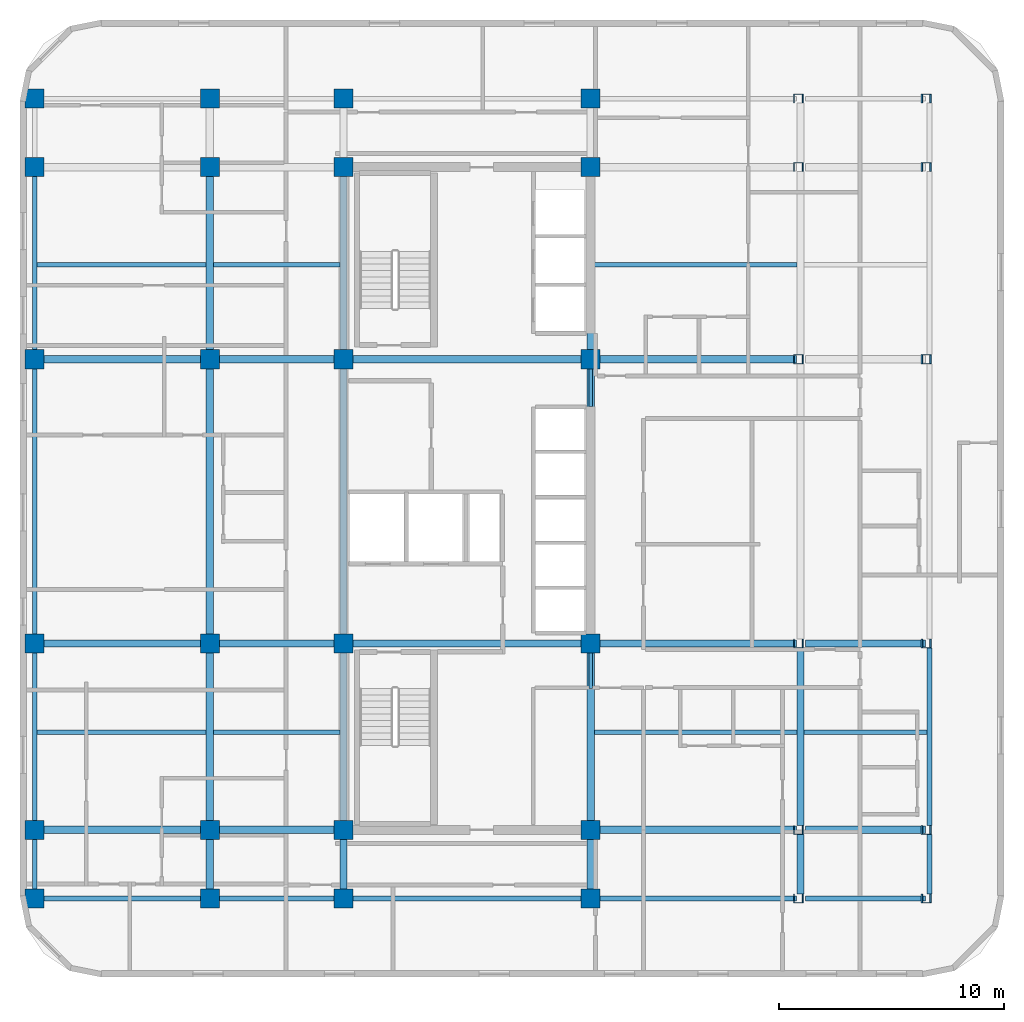
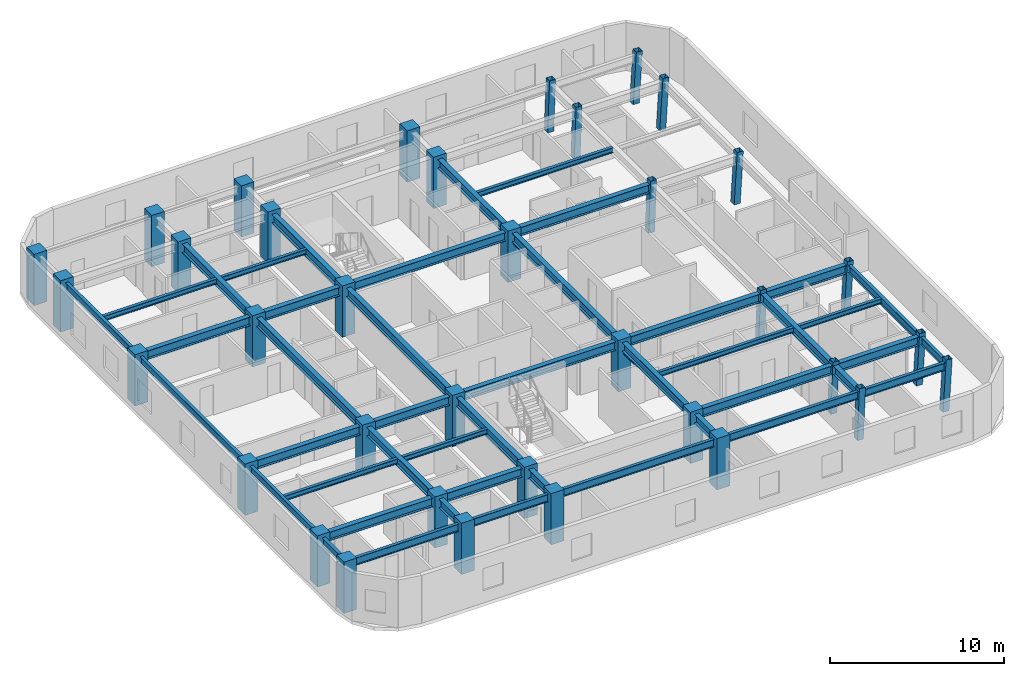
# One storey, part 1 of 8: 47 beams, 36 columns.
"""IFC4 building model written with IfcOpenShell, lengths in metres."""

from ifc_helpers import new_model, si_unit, direction, frame, origin, origin_2d, place, context, subcontext, project, spatial, rectangle, hollow_rectangle, i_section, extrude, material, material_profile, profile_set, type_object, element, save


model = new_model("IFC4")

# Units and contexts
model_context = context("Model", 3, precision=1e-05, world=origin(), true_north=direction((0.0, 1.0)))
body_context = subcontext(model_context, "Body", "Model", "MODEL_VIEW")
ifc_project = project(units=[si_unit("LENGTHUNIT", "METRE"), si_unit("AREAUNIT", "SQUARE_METRE"), si_unit("VOLUMEUNIT", "CUBIC_METRE"), si_unit("PLANEANGLEUNIT", "RADIAN"), si_unit("MASSUNIT", "GRAM", prefix="KILO")], contexts=[model_context])

# Site, building, storey
site_placement = place(None, origin())
site = spatial("IfcSite", under=ifc_project, at=site_placement, CompositionType="ELEMENT")
building_placement = place(site_placement, origin())
building = spatial("IfcBuilding", under=site, at=building_placement, Name="Ochreholt Gables", CompositionType="ELEMENT")
storey_placement = place(building_placement, frame((0.0, 0.0, 128.39990234375)))
storey = spatial("IfcBuildingStorey", under=building, at=storey_placement, Name="L33", CompositionType="ELEMENT", Elevation=128.39990234375)

# Columns
ifc_material_1 = material(Name="Steel CSA G40.21 350W", Category="steel")
ifc_material_profile_1 = material_profile(ifc_material_1, hollow_rectangle(XDim=0.406005859375, YDim=0.406005859375, WallThickness=0.01611328125, at=origin_2d()), Name="HSS406X406X16")
ifc_profile_set_1 = profile_set([ifc_material_profile_1], Name="Steel CSA G40.21 350W")
column_type_1 = type_object("IfcColumnType", Name="COL-HSS406-RAK", PredefinedType="COLUMN", material=ifc_profile_set_1)
for number, where, z_axis, x_axis, name in (
    (1, (44.429931640625, 9.25, 0.0), (0.034971136209, 0.0, 0.999388322742), (0.0, 1.0, 0.0), "L33 Column EMY2"),
    (2, (44.429931640625, 17.550048828125, 0.0), (0.034971136209, 0.0, 0.999388322742), (0.0, 1.0, 0.0), "L33 Column EMY3"),
    (3, (44.429931640625, 30.199951171875, 0.0), (0.034971136209, 0.0, 0.999388322742), (0.0, 1.0, 0.0), "L33 Column EMY4"),
    (4, (44.429931640625, 38.75, 0.0), (0.034971136209, 0.0, 0.999388322742), (0.0, 1.0, 0.0), "L33 Column EMY5"),
):
    element("IfcColumn", number, at=place(storey_placement, frame(where, z_axis=z_axis, x_axis=x_axis)), inside=storey, type_object=column_type_1, Name=name, PredefinedType="COLUMN", context=body_context, shape_type="SweptSolid", body=[
        extrude(hollow_rectangle(XDim=0.406005859375, YDim=0.406005859375, WallThickness=0.01611328125, at=origin_2d()), origin(), (0.0, 0.0, 1.0), 3.602294921875),
    ])
ifc_material_profile_2 = material_profile(ifc_material_1, hollow_rectangle(XDim=0.406005859375, YDim=0.406005859375, WallThickness=0.01611328125, at=origin_2d()), Name="HSS406X406X16")
ifc_profile_set_2 = profile_set([ifc_material_profile_2], Name="Steel CSA G40.21 350W")
column_type_2 = type_object("IfcColumnType", Name="COL-HSS406-RAKE", PredefinedType="COLUMN", material=ifc_profile_set_2)
for number, where, z_axis, x_axis, name in (
    (5, (44.429931640625, 6.199951171875, 0.0), (0.034971136209, 0.0, 0.999388322742), (0.0, 1.0, 0.0), "L33 Column EMY1"),
    (6, (44.429931640625, 41.800048828125, 0.0), (0.034971136209, 0.0, 0.999388322742), (0.0, 1.0, 0.0), "L33 Column EMY6"),
):
    element("IfcColumn", number, at=place(storey_placement, frame(where, z_axis=z_axis, x_axis=x_axis)), inside=storey, type_object=column_type_2, Name=name, PredefinedType="COLUMN", context=body_context, shape_type="SweptSolid", body=[
        extrude(hollow_rectangle(XDim=0.406005859375, YDim=0.406005859375, WallThickness=0.01611328125, at=origin_2d()), origin(), (0.0, 0.0, 1.0), 3.602294921875),
    ])
for number, where, z_axis, x_axis, name in (
    (7, (50.10400390625, 6.199951171875, 0.0), (0.057884606321, 0.0, 0.998323280481), (0.0, 1.0, 0.0), "L33 Column EEY1"),
    (8, (50.10400390625, 9.25, 0.0), (0.057884606321, 0.0, 0.998323280481), (0.0, 1.0, 0.0), "L33 Column EEY2"),
    (9, (50.10400390625, 17.550048828125, 0.0), (0.057884606321, 0.0, 0.998323280481), (0.0, 1.0, 0.0), "L33 Column EEY3"),
    (10, (50.10400390625, 30.199951171875, 0.0), (0.057884606321, 0.0, 0.998323280481), (0.0, 1.0, 0.0), "L33 Column EEY4"),
    (11, (50.10400390625, 38.75, 0.0), (0.057884606321, 0.0, 0.998323280481), (0.0, 1.0, 0.0), "L33 Column EEY5"),
    (12, (50.10400390625, 41.800048828125, 0.0), (0.057884606321, 0.0, 0.998323280481), (0.0, 1.0, 0.0), "L33 Column EEY6"),
):
    element("IfcColumn", number, at=place(storey_placement, frame(where, z_axis=z_axis, x_axis=x_axis)), inside=storey, type_object=column_type_2, Name=name, PredefinedType="COLUMN", context=body_context, shape_type="SweptSolid", body=[
        extrude(hollow_rectangle(XDim=0.406005859375, YDim=0.406005859375, WallThickness=0.01611328125, at=origin_2d()), origin(), (0.0, 0.0, 1.0), 3.606201171875),
    ])
ifc_material_2 = material(Name="Concrete 60 MPa", Category="concrete")
ifc_material_profile_3 = material_profile(ifc_material_2, rectangle(XDim=0.85009765625, YDim=0.85009765625, at=origin_2d()), Name="RC850X850")
ifc_profile_set_3 = profile_set([ifc_material_profile_3], Name="Concrete 60 MPa")
column_type_3 = type_object("IfcColumnType", Name="COL-RC850-EXT", PredefinedType="COLUMN", material=ifc_profile_set_3)
for number, where, z_axis, x_axis, name in (
    (13, (10.449951171875, 6.199951171875, 0.0), (0.0, 0.0, 1.0), (1.0, 0.0, 0.0), "L33 Column W2Y1"),
    (14, (10.449951171875, 9.25, 0.0), (0.0, 0.0, 1.0), (1.0, 0.0, 0.0), "L33 Column W2Y2"),
    (15, (10.449951171875, 17.550048828125, 0.0), (0.0, 0.0, 1.0), (1.0, 0.0, 0.0), "L33 Column W2Y3"),
    (16, (10.449951171875, 30.199951171875, 0.0), (0.0, 0.0, 1.0), (1.0, 0.0, 0.0), "L33 Column W2Y4"),
    (17, (10.449951171875, 38.75, 0.0), (0.0, 0.0, 1.0), (1.0, 0.0, 0.0), "L33 Column W2Y5"),
    (18, (10.449951171875, 41.800048828125, 0.0), (0.0, 0.0, 1.0), (1.0, 0.0, 0.0), "L33 Column W2Y6"),
    (19, (18.25, 6.199951171875, 0.0), (0.0, 0.0, 1.0), (1.0, 0.0, 0.0), "L33 Column W3Y1"),
    (20, (18.25, 41.800048828125, 0.0), (0.0, 0.0, 1.0), (1.0, 0.0, 0.0), "L33 Column W3Y6"),
    (21, (24.199951171875, 6.199951171875, 0.0), (0.0, 0.0, 1.0), (1.0, 0.0, 0.0), "L33 Column C1Y1"),
    (22, (24.199951171875, 41.800048828125, 0.0), (0.0, 0.0, 1.0), (1.0, 0.0, 0.0), "L33 Column C1Y6"),
    (23, (35.199951171875, 6.199951171875, 0.0), (0.0, 0.0, 1.0), (1.0, 0.0, 0.0), "L33 Column C2Y1"),
    (24, (35.199951171875, 41.800048828125, 0.0), (0.0, 0.0, 1.0), (1.0, 0.0, 0.0), "L33 Column C2Y6"),
):
    element("IfcColumn", number, at=place(storey_placement, frame(where, z_axis=z_axis, x_axis=x_axis)), inside=storey, type_object=column_type_3, Name=name, PredefinedType="COLUMN", context=body_context, shape_type="SweptSolid", body=[
        extrude(rectangle(XDim=0.85009765625, YDim=0.85009765625, at=origin_2d()), origin(), (0.0, 0.0, 1.0), 3.60009765625),
    ])
ifc_material_profile_4 = material_profile(ifc_material_2, rectangle(XDim=0.85009765625, YDim=0.85009765625, at=origin_2d()), Name="RC850X850")
ifc_profile_set_4 = profile_set([ifc_material_profile_4], Name="Concrete 60 MPa")
column_type_4 = type_object("IfcColumnType", Name="COL-RC850-INT", PredefinedType="COLUMN", material=ifc_profile_set_4)
for number, where, z_axis, x_axis, name in (
    (25, (18.25, 9.25, 0.0), (0.0, 0.0, 1.0), (1.0, 0.0, 0.0), "L33 Column W3Y2"),
    (26, (18.25, 17.550048828125, 0.0), (0.0, 0.0, 1.0), (1.0, 0.0, 0.0), "L33 Column W3Y3"),
    (27, (18.25, 30.199951171875, 0.0), (0.0, 0.0, 1.0), (1.0, 0.0, 0.0), "L33 Column W3Y4"),
    (28, (18.25, 38.75, 0.0), (0.0, 0.0, 1.0), (1.0, 0.0, 0.0), "L33 Column W3Y5"),
    (29, (24.199951171875, 9.25, 0.0), (0.0, 0.0, 1.0), (1.0, 0.0, 0.0), "L33 Column C1Y2"),
    (30, (24.199951171875, 17.550048828125, 0.0), (0.0, 0.0, 1.0), (1.0, 0.0, 0.0), "L33 Column C1Y3"),
    (31, (24.199951171875, 30.199951171875, 0.0), (0.0, 0.0, 1.0), (1.0, 0.0, 0.0), "L33 Column C1Y4"),
    (32, (24.199951171875, 38.75, 0.0), (0.0, 0.0, 1.0), (1.0, 0.0, 0.0), "L33 Column C1Y5"),
    (33, (35.199951171875, 9.25, 0.0), (0.0, 0.0, 1.0), (1.0, 0.0, 0.0), "L33 Column C2Y2"),
    (34, (35.199951171875, 17.550048828125, 0.0), (0.0, 0.0, 1.0), (1.0, 0.0, 0.0), "L33 Column C2Y3"),
    (35, (35.199951171875, 30.199951171875, 0.0), (0.0, 0.0, 1.0), (1.0, 0.0, 0.0), "L33 Column C2Y4"),
    (36, (35.199951171875, 38.75, 0.0), (0.0, 0.0, 1.0), (1.0, 0.0, 0.0), "L33 Column C2Y5"),
):
    element("IfcColumn", number, at=place(storey_placement, frame(where, z_axis=z_axis, x_axis=x_axis)), inside=storey, type_object=column_type_4, Name=name, PredefinedType="COLUMN", context=body_context, shape_type="SweptSolid", body=[
        extrude(rectangle(XDim=0.85009765625, YDim=0.85009765625, at=origin_2d()), origin(), (0.0, 0.0, 1.0), 3.60009765625),
    ])

# Beams
ifc_material_profile_5 = material_profile(ifc_material_1, i_section(OverallWidth=0.323974609375, OverallDepth=0.611083984375, WebThickness=0.0126953125, FlangeThickness=0.01904296875, at=origin_2d()), Name="W610X155")
ifc_profile_set_5 = profile_set([ifc_material_profile_5], Name="Steel CSA G40.21 350W")
beam_type_1 = type_object("IfcBeamType", Name="BM-G-W610A", PredefinedType="BEAM", material=ifc_profile_set_5)
beam_1_placement = place(storey_placement, frame((10.87451171875, 9.25, 3.0546875), z_axis=(1.0, 0.0, 0.0), x_axis=(0.0, 1.0, 0.0)))
element("IfcBeam", 37, at=beam_1_placement, inside=storey, type_object=beam_type_1, Name="L33 Beam TBG-L33-W2W3-Y2", PredefinedType="BEAM", context=body_context, shape_type="SweptSolid", body=[
    extrude(i_section(OverallWidth=0.323974609375, OverallDepth=0.611083984375, WebThickness=0.0126953125, FlangeThickness=0.01904296875, at=origin_2d()), origin(), (0.0, 0.0, 1.0), 6.950927734375),
])
beam_2_placement = place(storey_placement, frame((18.674560546875, 9.25, 3.0546875), z_axis=(1.0, 0.0, 0.0), x_axis=(0.0, 1.0, 0.0)))
element("IfcBeam", 38, at=beam_2_placement, inside=storey, type_object=beam_type_1, Name="L33 Beam TBG-L33-W3C1-Y2", PredefinedType="BEAM", context=body_context, shape_type="SweptSolid", body=[
    extrude(i_section(OverallWidth=0.323974609375, OverallDepth=0.611083984375, WebThickness=0.0126953125, FlangeThickness=0.01904296875, at=origin_2d()), origin(), (0.0, 0.0, 1.0), 5.100830078125),
])
beam_3_placement = place(storey_placement, frame((35.62451171875, 9.25, 3.0546875), z_axis=(1.0, 0.0, 0.0), x_axis=(0.0, 1.0, 0.0)))
element("IfcBeam", 39, at=beam_3_placement, inside=storey, type_object=beam_type_1, Name="L33 Beam TBG-L33-C2EM-Y2", PredefinedType="BEAM", context=body_context, shape_type="SweptSolid", body=[
    extrude(i_section(OverallWidth=0.323974609375, OverallDepth=0.611083984375, WebThickness=0.0126953125, FlangeThickness=0.01904296875, at=origin_2d()), origin(), (0.0, 0.0, 1.0), 8.72900390625),
])
beam_4_placement = place(storey_placement, frame((44.758544921875, 9.25, 3.0546875), z_axis=(1.0, 0.0, 0.0), x_axis=(0.0, 1.0, 0.0)))
element("IfcBeam", 40, at=beam_4_placement, inside=storey, type_object=beam_type_1, Name="L33 Beam TBG-L33-EMEE-Y2", PredefinedType="BEAM", context=body_context, shape_type="SweptSolid", body=[
    extrude(i_section(OverallWidth=0.323974609375, OverallDepth=0.611083984375, WebThickness=0.0126953125, FlangeThickness=0.01904296875, at=origin_2d()), origin(), (0.0, 0.0, 1.0), 5.3515625),
])
beam_5_placement = place(storey_placement, frame((10.87451171875, 17.550048828125, 3.0546875), z_axis=(1.0, 0.0, 0.0), x_axis=(0.0, 1.0, 0.0)))
element("IfcBeam", 41, at=beam_5_placement, inside=storey, type_object=beam_type_1, Name="L33 Beam TBG-L33-W2W3-Y3", PredefinedType="BEAM", context=body_context, shape_type="SweptSolid", body=[
    extrude(i_section(OverallWidth=0.323974609375, OverallDepth=0.611083984375, WebThickness=0.0126953125, FlangeThickness=0.01904296875, at=origin_2d()), origin(), (0.0, 0.0, 1.0), 6.950927734375),
])
beam_6_placement = place(storey_placement, frame((18.674560546875, 17.550048828125, 3.0546875), z_axis=(1.0, 0.0, 0.0), x_axis=(0.0, 1.0, 0.0)))
element("IfcBeam", 42, at=beam_6_placement, inside=storey, type_object=beam_type_1, Name="L33 Beam TBG-L33-W3C1-Y3", PredefinedType="BEAM", context=body_context, shape_type="SweptSolid", body=[
    extrude(i_section(OverallWidth=0.323974609375, OverallDepth=0.611083984375, WebThickness=0.0126953125, FlangeThickness=0.01904296875, at=origin_2d()), origin(), (0.0, 0.0, 1.0), 5.100830078125),
])
beam_7_placement = place(storey_placement, frame((24.62451171875, 17.550048828125, 3.0546875), z_axis=(1.0, 0.0, 0.0), x_axis=(0.0, 1.0, 0.0)))
element("IfcBeam", 43, at=beam_7_placement, inside=storey, type_object=beam_type_1, Name="L33 Beam TBG-L33-C1C2-Y3", PredefinedType="BEAM", context=body_context, shape_type="SweptSolid", body=[
    extrude(i_section(OverallWidth=0.323974609375, OverallDepth=0.611083984375, WebThickness=0.0126953125, FlangeThickness=0.01904296875, at=origin_2d()), origin(), (0.0, 0.0, 1.0), 10.15087890625),
])
beam_8_placement = place(storey_placement, frame((35.62451171875, 17.550048828125, 3.0546875), z_axis=(1.0, 0.0, 0.0), x_axis=(0.0, 1.0, 0.0)))
element("IfcBeam", 44, at=beam_8_placement, inside=storey, type_object=beam_type_1, Name="L33 Beam TBG-L33-C2EM-Y3", PredefinedType="BEAM", context=body_context, shape_type="SweptSolid", body=[
    extrude(i_section(OverallWidth=0.323974609375, OverallDepth=0.611083984375, WebThickness=0.0126953125, FlangeThickness=0.01904296875, at=origin_2d()), origin(), (0.0, 0.0, 1.0), 8.72900390625),
])
beam_9_placement = place(storey_placement, frame((44.758544921875, 17.550048828125, 3.0546875), z_axis=(1.0, 0.0, 0.0), x_axis=(0.0, 1.0, 0.0)))
element("IfcBeam", 45, at=beam_9_placement, inside=storey, type_object=beam_type_1, Name="L33 Beam TBG-L33-EMEE-Y3", PredefinedType="BEAM", context=body_context, shape_type="SweptSolid", body=[
    extrude(i_section(OverallWidth=0.323974609375, OverallDepth=0.611083984375, WebThickness=0.0126953125, FlangeThickness=0.01904296875, at=origin_2d()), origin(), (0.0, 0.0, 1.0), 5.3515625),
])
beam_10_placement = place(storey_placement, frame((10.87451171875, 30.199951171875, 3.0546875), z_axis=(1.0, 0.0, 0.0), x_axis=(0.0, 1.0, 0.0)))
element("IfcBeam", 46, at=beam_10_placement, inside=storey, type_object=beam_type_1, Name="L33 Beam TBG-L33-W2W3-Y4", PredefinedType="BEAM", context=body_context, shape_type="SweptSolid", body=[
    extrude(i_section(OverallWidth=0.323974609375, OverallDepth=0.611083984375, WebThickness=0.0126953125, FlangeThickness=0.01904296875, at=origin_2d()), origin(), (0.0, 0.0, 1.0), 6.950927734375),
])
beam_11_placement = place(storey_placement, frame((18.674560546875, 30.199951171875, 3.0546875), z_axis=(1.0, 0.0, 0.0), x_axis=(0.0, 1.0, 0.0)))
element("IfcBeam", 47, at=beam_11_placement, inside=storey, type_object=beam_type_1, Name="L33 Beam TBG-L33-W3C1-Y4", PredefinedType="BEAM", context=body_context, shape_type="SweptSolid", body=[
    extrude(i_section(OverallWidth=0.323974609375, OverallDepth=0.611083984375, WebThickness=0.0126953125, FlangeThickness=0.01904296875, at=origin_2d()), origin(), (0.0, 0.0, 1.0), 5.100830078125),
])
beam_12_placement = place(storey_placement, frame((24.62451171875, 30.199951171875, 3.0546875), z_axis=(1.0, 0.0, 0.0), x_axis=(0.0, 1.0, 0.0)))
element("IfcBeam", 48, at=beam_12_placement, inside=storey, type_object=beam_type_1, Name="L33 Beam TBG-L33-C1C2-Y4", PredefinedType="BEAM", context=body_context, shape_type="SweptSolid", body=[
    extrude(i_section(OverallWidth=0.323974609375, OverallDepth=0.611083984375, WebThickness=0.0126953125, FlangeThickness=0.01904296875, at=origin_2d()), origin(), (0.0, 0.0, 1.0), 10.15087890625),
])
beam_13_placement = place(storey_placement, frame((35.62451171875, 30.199951171875, 3.0546875), z_axis=(1.0, 0.0, 0.0), x_axis=(0.0, 1.0, 0.0)))
element("IfcBeam", 49, at=beam_13_placement, inside=storey, type_object=beam_type_1, Name="L33 Beam TBG-L33-C2EM-Y4", PredefinedType="BEAM", context=body_context, shape_type="SweptSolid", body=[
    extrude(i_section(OverallWidth=0.323974609375, OverallDepth=0.611083984375, WebThickness=0.0126953125, FlangeThickness=0.01904296875, at=origin_2d()), origin(), (0.0, 0.0, 1.0), 8.72900390625),
])
beam_14_placement = place(storey_placement, frame((18.25, 6.62451171875, 3.0546875), z_axis=(0.0, 1.0, 0.0), x_axis=(-1.0, 0.0, 0.0)))
element("IfcBeam", 50, at=beam_14_placement, inside=storey, type_object=beam_type_1, Name="L33 Beam TBN-L33-W3-Y1Y2", PredefinedType="BEAM", context=body_context, shape_type="SweptSolid", body=[
    extrude(i_section(OverallWidth=0.323974609375, OverallDepth=0.611083984375, WebThickness=0.0126953125, FlangeThickness=0.01904296875, at=origin_2d()), origin(), (0.0, 0.0, 1.0), 2.200927734375),
])
beam_15_placement = place(storey_placement, frame((18.25, 9.674560546875, 3.0546875), z_axis=(0.0, 1.0, 0.0), x_axis=(-1.0, 0.0, 0.0)))
element("IfcBeam", 51, at=beam_15_placement, inside=storey, type_object=beam_type_1, Name="L33 Beam TBN-L33-W3-Y2Y3", PredefinedType="BEAM", context=body_context, shape_type="SweptSolid", body=[
    extrude(i_section(OverallWidth=0.323974609375, OverallDepth=0.611083984375, WebThickness=0.0126953125, FlangeThickness=0.01904296875, at=origin_2d()), origin(), (0.0, 0.0, 1.0), 7.450927734375),
])
beam_16_placement = place(storey_placement, frame((18.25, 17.974609375, 3.0546875), z_axis=(0.0, 1.0, 0.0), x_axis=(-1.0, 0.0, 0.0)))
element("IfcBeam", 52, at=beam_16_placement, inside=storey, type_object=beam_type_1, Name="L33 Beam TBN-L33-W3-Y3Y4", PredefinedType="BEAM", context=body_context, shape_type="SweptSolid", body=[
    extrude(i_section(OverallWidth=0.323974609375, OverallDepth=0.611083984375, WebThickness=0.0126953125, FlangeThickness=0.01904296875, at=origin_2d()), origin(), (0.0, 0.0, 1.0), 11.80078125),
])
beam_17_placement = place(storey_placement, frame((18.25, 30.62451171875, 3.0546875), z_axis=(0.0, 1.0, 0.0), x_axis=(-1.0, 0.0, 0.0)))
element("IfcBeam", 53, at=beam_17_placement, inside=storey, type_object=beam_type_1, Name="L33 Beam TBN-L33-W3-Y4Y5", PredefinedType="BEAM", context=body_context, shape_type="SweptSolid", body=[
    extrude(i_section(OverallWidth=0.323974609375, OverallDepth=0.611083984375, WebThickness=0.0126953125, FlangeThickness=0.01904296875, at=origin_2d()), origin(), (0.0, 0.0, 1.0), 7.700927734375),
])
beam_18_placement = place(storey_placement, frame((24.199951171875, 6.62451171875, 3.0546875), z_axis=(0.0, 1.0, 0.0), x_axis=(-1.0, 0.0, 0.0)))
element("IfcBeam", 54, at=beam_18_placement, inside=storey, type_object=beam_type_1, Name="L33 Beam TBN-L33-C1-Y1Y2", PredefinedType="BEAM", context=body_context, shape_type="SweptSolid", body=[
    extrude(i_section(OverallWidth=0.323974609375, OverallDepth=0.611083984375, WebThickness=0.0126953125, FlangeThickness=0.01904296875, at=origin_2d()), origin(), (0.0, 0.0, 1.0), 2.200927734375),
])
beam_19_placement = place(storey_placement, frame((24.199951171875, 9.674560546875, 3.0546875), z_axis=(0.0, 1.0, 0.0), x_axis=(-1.0, 0.0, 0.0)))
element("IfcBeam", 55, at=beam_19_placement, inside=storey, type_object=beam_type_1, Name="L33 Beam TBN-L33-C1-Y2Y3", PredefinedType="BEAM", context=body_context, shape_type="SweptSolid", body=[
    extrude(i_section(OverallWidth=0.323974609375, OverallDepth=0.611083984375, WebThickness=0.0126953125, FlangeThickness=0.01904296875, at=origin_2d()), origin(), (0.0, 0.0, 1.0), 7.450927734375),
])
beam_20_placement = place(storey_placement, frame((24.199951171875, 17.974609375, 3.0546875), z_axis=(0.0, 1.0, 0.0), x_axis=(-1.0, 0.0, 0.0)))
element("IfcBeam", 56, at=beam_20_placement, inside=storey, type_object=beam_type_1, Name="L33 Beam TBN-L33-C1-Y3Y4", PredefinedType="BEAM", context=body_context, shape_type="SweptSolid", body=[
    extrude(i_section(OverallWidth=0.323974609375, OverallDepth=0.611083984375, WebThickness=0.0126953125, FlangeThickness=0.01904296875, at=origin_2d()), origin(), (0.0, 0.0, 1.0), 11.80078125),
])
beam_21_placement = place(storey_placement, frame((24.199951171875, 30.62451171875, 3.0546875), z_axis=(0.0, 1.0, 0.0), x_axis=(-1.0, 0.0, 0.0)))
element("IfcBeam", 57, at=beam_21_placement, inside=storey, type_object=beam_type_1, Name="L33 Beam TBN-L33-C1-Y4Y5", PredefinedType="BEAM", context=body_context, shape_type="SweptSolid", body=[
    extrude(i_section(OverallWidth=0.323974609375, OverallDepth=0.611083984375, WebThickness=0.0126953125, FlangeThickness=0.01904296875, at=origin_2d()), origin(), (0.0, 0.0, 1.0), 7.700927734375),
])
beam_22_placement = place(storey_placement, frame((35.199951171875, 6.62451171875, 3.0546875), z_axis=(0.0, 1.0, 0.0), x_axis=(-1.0, 0.0, 0.0)))
element("IfcBeam", 58, at=beam_22_placement, inside=storey, type_object=beam_type_1, Name="L33 Beam TBN-L33-C2-Y1Y2", PredefinedType="BEAM", context=body_context, shape_type="SweptSolid", body=[
    extrude(i_section(OverallWidth=0.323974609375, OverallDepth=0.611083984375, WebThickness=0.0126953125, FlangeThickness=0.01904296875, at=origin_2d()), origin(), (0.0, 0.0, 1.0), 2.200927734375),
])
beam_23_placement = place(storey_placement, frame((35.199951171875, 9.674560546875, 3.0546875), z_axis=(0.0, 1.0, 0.0), x_axis=(-1.0, 0.0, 0.0)))
element("IfcBeam", 59, at=beam_23_placement, inside=storey, type_object=beam_type_1, Name="L33 Beam TBN-L33-C2-Y2Y3", PredefinedType="BEAM", context=body_context, shape_type="SweptSolid", body=[
    extrude(i_section(OverallWidth=0.323974609375, OverallDepth=0.611083984375, WebThickness=0.0126953125, FlangeThickness=0.01904296875, at=origin_2d()), origin(), (0.0, 0.0, 1.0), 7.450927734375),
])
beam_24_placement = place(storey_placement, frame((35.199951171875, 17.974609375, 3.0546875), z_axis=(0.0, 1.0, 0.0), x_axis=(-1.0, 0.0, 0.0)))
element("IfcBeam", 60, at=beam_24_placement, inside=storey, type_object=beam_type_1, Name="L33 Beam TBN-L33-C2-Y3Y4", PredefinedType="BEAM", context=body_context, shape_type="SweptSolid", body=[
    extrude(i_section(OverallWidth=0.323974609375, OverallDepth=0.611083984375, WebThickness=0.0126953125, FlangeThickness=0.01904296875, at=origin_2d()), origin(), (0.0, 0.0, 1.0), 11.80078125),
])
beam_25_placement = place(storey_placement, frame((35.199951171875, 30.62451171875, 3.0546875), z_axis=(0.0, 1.0, 0.0), x_axis=(-1.0, 0.0, 0.0)))
element("IfcBeam", 61, at=beam_25_placement, inside=storey, type_object=beam_type_1, Name="L33 Beam TBN-L33-C2-Y4Y5", PredefinedType="BEAM", context=body_context, shape_type="SweptSolid", body=[
    extrude(i_section(OverallWidth=0.323974609375, OverallDepth=0.611083984375, WebThickness=0.0126953125, FlangeThickness=0.01904296875, at=origin_2d()), origin(), (0.0, 0.0, 1.0), 7.700927734375),
])
beam_26_placement = place(storey_placement, frame((44.538818359375, 6.402587890625, 3.0546875), z_axis=(0.0, 1.0, 0.0), x_axis=(-1.0, 0.0, 0.0)))
element("IfcBeam", 62, at=beam_26_placement, inside=storey, type_object=beam_type_1, Name="L33 Beam TBN-L33-EM-Y1Y2", PredefinedType="BEAM", context=body_context, shape_type="SweptSolid", body=[
    extrude(i_section(OverallWidth=0.323974609375, OverallDepth=0.611083984375, WebThickness=0.0126953125, FlangeThickness=0.01904296875, at=origin_2d()), origin(), (0.0, 0.0, 1.0), 2.644775390625),
])
beam_27_placement = place(storey_placement, frame((44.538818359375, 9.45263671875, 3.0546875), z_axis=(0.0, 1.0, 0.0), x_axis=(-1.0, 0.0, 0.0)))
element("IfcBeam", 63, at=beam_27_placement, inside=storey, type_object=beam_type_1, Name="L33 Beam TBN-L33-EM-Y2Y3", PredefinedType="BEAM", context=body_context, shape_type="SweptSolid", body=[
    extrude(i_section(OverallWidth=0.323974609375, OverallDepth=0.611083984375, WebThickness=0.0126953125, FlangeThickness=0.01904296875, at=origin_2d()), origin(), (0.0, 0.0, 1.0), 7.894775390625),
])
ifc_material_profile_6 = material_profile(ifc_material_1, i_section(OverallWidth=0.205078125, OverallDepth=0.35400390625, WebThickness=0.009521484375, FlangeThickness=0.016845703125, at=origin_2d()), Name="W360X79")
ifc_profile_set_6 = profile_set([ifc_material_profile_6], Name="Steel CSA G40.21 350W")
beam_type_2 = type_object("IfcBeamType", Name="BM-J-W360A", PredefinedType="JOIST", material=ifc_profile_set_6)
beam_28_placement = place(storey_placement, frame((10.55419921875, 13.60009765625, 3.18310546875), z_axis=(1.0, 0.0, 0.0), x_axis=(0.0, 1.0, 0.0)))
element("IfcBeam", 64, at=beam_28_placement, inside=storey, type_object=beam_type_2, Name="L33 Beam TBJ-L33-J1-W2W3", PredefinedType="JOIST", context=body_context, shape_type="SweptSolid", body=[
    extrude(i_section(OverallWidth=0.205078125, OverallDepth=0.35400390625, WebThickness=0.009521484375, FlangeThickness=0.016845703125, at=origin_2d()), origin(), (0.0, 0.0, 1.0), 7.5341796875),
])
beam_29_placement = place(storey_placement, frame((18.41162109375, 13.60009765625, 3.18310546875), z_axis=(1.0, 0.0, 0.0), x_axis=(0.0, 1.0, 0.0)))
element("IfcBeam", 65, at=beam_29_placement, inside=storey, type_object=beam_type_2, Name="L33 Beam TBJ-L33-J1-W3C1", PredefinedType="JOIST", context=body_context, shape_type="SweptSolid", body=[
    extrude(i_section(OverallWidth=0.205078125, OverallDepth=0.35400390625, WebThickness=0.009521484375, FlangeThickness=0.016845703125, at=origin_2d()), origin(), (0.0, 0.0, 1.0), 5.626708984375),
])
beam_30_placement = place(storey_placement, frame((35.361572265625, 13.60009765625, 3.18310546875), z_axis=(1.0, 0.0, 0.0), x_axis=(0.0, 1.0, 0.0)))
element("IfcBeam", 66, at=beam_30_placement, inside=storey, type_object=beam_type_2, Name="L33 Beam TBJ-L33-J1-C2EM", PredefinedType="JOIST", context=body_context, shape_type="SweptSolid", body=[
    extrude(i_section(OverallWidth=0.205078125, OverallDepth=0.35400390625, WebThickness=0.009521484375, FlangeThickness=0.016845703125, at=origin_2d()), origin(), (0.0, 0.0, 1.0), 9.015625),
])
beam_31_placement = place(storey_placement, frame((44.700439453125, 13.60009765625, 3.18310546875), z_axis=(1.0, 0.0, 0.0), x_axis=(0.0, 1.0, 0.0)))
element("IfcBeam", 67, at=beam_31_placement, inside=storey, type_object=beam_type_2, Name="L33 Beam TBJ-L33-J1-EMEE", PredefinedType="JOIST", context=body_context, shape_type="SweptSolid", body=[
    extrude(i_section(OverallWidth=0.205078125, OverallDepth=0.35400390625, WebThickness=0.009521484375, FlangeThickness=0.016845703125, at=origin_2d()), origin(), (0.0, 0.0, 1.0), 5.47998046875),
])
beam_32_placement = place(storey_placement, frame((10.55419921875, 34.39990234375, 3.18310546875), z_axis=(1.0, 0.0, 0.0), x_axis=(0.0, 1.0, 0.0)))
element("IfcBeam", 68, at=beam_32_placement, inside=storey, type_object=beam_type_2, Name="L33 Beam TBJ-L33-J2-W2W3", PredefinedType="JOIST", context=body_context, shape_type="SweptSolid", body=[
    extrude(i_section(OverallWidth=0.205078125, OverallDepth=0.35400390625, WebThickness=0.009521484375, FlangeThickness=0.016845703125, at=origin_2d()), origin(), (0.0, 0.0, 1.0), 7.5341796875),
])
beam_33_placement = place(storey_placement, frame((18.41162109375, 34.39990234375, 3.18310546875), z_axis=(1.0, 0.0, 0.0), x_axis=(0.0, 1.0, 0.0)))
element("IfcBeam", 69, at=beam_33_placement, inside=storey, type_object=beam_type_2, Name="L33 Beam TBJ-L33-J2-W3C1", PredefinedType="JOIST", context=body_context, shape_type="SweptSolid", body=[
    extrude(i_section(OverallWidth=0.205078125, OverallDepth=0.35400390625, WebThickness=0.009521484375, FlangeThickness=0.016845703125, at=origin_2d()), origin(), (0.0, 0.0, 1.0), 5.626708984375),
])
beam_34_placement = place(storey_placement, frame((35.361572265625, 34.39990234375, 3.18310546875), z_axis=(1.0, 0.0, 0.0), x_axis=(0.0, 1.0, 0.0)))
element("IfcBeam", 70, at=beam_34_placement, inside=storey, type_object=beam_type_2, Name="L33 Beam TBJ-L33-J2-C2EM", PredefinedType="JOIST", context=body_context, shape_type="SweptSolid", body=[
    extrude(i_section(OverallWidth=0.205078125, OverallDepth=0.35400390625, WebThickness=0.009521484375, FlangeThickness=0.016845703125, at=origin_2d()), origin(), (0.0, 0.0, 1.0), 9.015625),
])
ifc_material_profile_7 = material_profile(ifc_material_1, i_section(OverallWidth=0.1650390625, OverallDepth=0.200927734375, WebThickness=0.006103515625, FlangeThickness=0.01025390625, at=origin_2d()), Name="W200X36")
ifc_profile_set_7 = profile_set([ifc_material_profile_7], Name="Steel CSA G40.21 350W")
beam_type_3 = type_object("IfcBeamType", Name="BM-LIN-W200", PredefinedType="LINTEL", material=ifc_profile_set_7)
beam_35_placement = place(storey_placement, frame((35.199951171875, 15.550048828125, 2.648681640625), z_axis=(0.0, 1.0, 0.0), x_axis=(-1.0, 0.0, 0.0)))
element("IfcBeam", 71, at=beam_35_placement, inside=storey, type_object=beam_type_3, Name="L33 Core Coupling Lintel CPS", PredefinedType="LINTEL", context=body_context, shape_type="SweptSolid", body=[
    extrude(i_section(OverallWidth=0.1650390625, OverallDepth=0.200927734375, WebThickness=0.006103515625, FlangeThickness=0.01025390625, at=origin_2d()), origin(), (0.0, 0.0, 1.0), 1.574951171875),
])
beam_36_placement = place(storey_placement, frame((35.199951171875, 28.10009765625, 2.648681640625), z_axis=(0.0, 1.0, 0.0), x_axis=(-1.0, 0.0, 0.0)))
element("IfcBeam", 72, at=beam_36_placement, inside=storey, type_object=beam_type_3, Name="L33 Core Coupling Lintel CPN", PredefinedType="LINTEL", context=body_context, shape_type="SweptSolid", body=[
    extrude(i_section(OverallWidth=0.1650390625, OverallDepth=0.200927734375, WebThickness=0.006103515625, FlangeThickness=0.01025390625, at=origin_2d()), origin(), (0.0, 0.0, 1.0), 1.6748046875),
])
ifc_material_profile_8 = material_profile(ifc_material_1, i_section(OverallWidth=0.208984375, OverallDepth=0.532958984375, WebThickness=0.01025390625, FlangeThickness=0.015625, at=origin_2d()), Name="W530X92")
ifc_profile_set_8 = profile_set([ifc_material_profile_8], Name="Steel CSA G40.21 350W")
beam_type_4 = type_object("IfcBeamType", Name="BM-SP-W530B", PredefinedType="SPANDREL", material=ifc_profile_set_8)
beam_37_placement = place(storey_placement, frame((10.87451171875, 6.199951171875, 3.093505859375), z_axis=(1.0, 0.0, 0.0), x_axis=(0.0, 1.0, 0.0)))
element("IfcBeam", 73, at=beam_37_placement, inside=storey, type_object=beam_type_4, Name="L33 Beam TBG-L33-W2W3-Y1", PredefinedType="SPANDREL", context=body_context, shape_type="SweptSolid", body=[
    extrude(i_section(OverallWidth=0.208984375, OverallDepth=0.532958984375, WebThickness=0.01025390625, FlangeThickness=0.015625, at=origin_2d()), origin(), (0.0, 0.0, 1.0), 6.950927734375),
])
beam_38_placement = place(storey_placement, frame((18.674560546875, 6.199951171875, 3.093505859375), z_axis=(1.0, 0.0, 0.0), x_axis=(0.0, 1.0, 0.0)))
element("IfcBeam", 74, at=beam_38_placement, inside=storey, type_object=beam_type_4, Name="L33 Beam TBG-L33-W3C1-Y1", PredefinedType="SPANDREL", context=body_context, shape_type="SweptSolid", body=[
    extrude(i_section(OverallWidth=0.208984375, OverallDepth=0.532958984375, WebThickness=0.01025390625, FlangeThickness=0.015625, at=origin_2d()), origin(), (0.0, 0.0, 1.0), 5.100830078125),
])
beam_39_placement = place(storey_placement, frame((24.62451171875, 6.199951171875, 3.093505859375), z_axis=(1.0, 0.0, 0.0), x_axis=(0.0, 1.0, 0.0)))
element("IfcBeam", 75, at=beam_39_placement, inside=storey, type_object=beam_type_4, Name="L33 Beam TBG-L33-C1C2-Y1", PredefinedType="SPANDREL", context=body_context, shape_type="SweptSolid", body=[
    extrude(i_section(OverallWidth=0.208984375, OverallDepth=0.532958984375, WebThickness=0.01025390625, FlangeThickness=0.015625, at=origin_2d()), origin(), (0.0, 0.0, 1.0), 10.15087890625),
])
beam_40_placement = place(storey_placement, frame((35.62451171875, 6.199951171875, 3.093505859375), z_axis=(1.0, 0.0, 0.0), x_axis=(0.0, 1.0, 0.0)))
element("IfcBeam", 76, at=beam_40_placement, inside=storey, type_object=beam_type_4, Name="L33 Beam TBG-L33-C2EM-Y1", PredefinedType="SPANDREL", context=body_context, shape_type="SweptSolid", body=[
    extrude(i_section(OverallWidth=0.208984375, OverallDepth=0.532958984375, WebThickness=0.01025390625, FlangeThickness=0.015625, at=origin_2d()), origin(), (0.0, 0.0, 1.0), 8.72900390625),
])
beam_41_placement = place(storey_placement, frame((44.758544921875, 6.199951171875, 3.093505859375), z_axis=(1.0, 0.0, 0.0), x_axis=(0.0, 1.0, 0.0)))
element("IfcBeam", 77, at=beam_41_placement, inside=storey, type_object=beam_type_4, Name="L33 Beam TBG-L33-EMEE-Y1", PredefinedType="SPANDREL", context=body_context, shape_type="SweptSolid", body=[
    extrude(i_section(OverallWidth=0.208984375, OverallDepth=0.532958984375, WebThickness=0.01025390625, FlangeThickness=0.015625, at=origin_2d()), origin(), (0.0, 0.0, 1.0), 5.3515625),
])
beam_42_placement = place(storey_placement, frame((10.449951171875, 6.62451171875, 3.093505859375), z_axis=(0.0, 1.0, 0.0), x_axis=(-1.0, 0.0, 0.0)))
element("IfcBeam", 78, at=beam_42_placement, inside=storey, type_object=beam_type_4, Name="L33 Beam TBN-L33-W2-Y1Y2", PredefinedType="SPANDREL", context=body_context, shape_type="SweptSolid", body=[
    extrude(i_section(OverallWidth=0.208984375, OverallDepth=0.532958984375, WebThickness=0.01025390625, FlangeThickness=0.015625, at=origin_2d()), origin(), (0.0, 0.0, 1.0), 2.200927734375),
])
beam_43_placement = place(storey_placement, frame((10.449951171875, 9.674560546875, 3.093505859375), z_axis=(0.0, 1.0, 0.0), x_axis=(-1.0, 0.0, 0.0)))
element("IfcBeam", 79, at=beam_43_placement, inside=storey, type_object=beam_type_4, Name="L33 Beam TBN-L33-W2-Y2Y3", PredefinedType="SPANDREL", context=body_context, shape_type="SweptSolid", body=[
    extrude(i_section(OverallWidth=0.208984375, OverallDepth=0.532958984375, WebThickness=0.01025390625, FlangeThickness=0.015625, at=origin_2d()), origin(), (0.0, 0.0, 1.0), 7.450927734375),
])
beam_44_placement = place(storey_placement, frame((10.449951171875, 17.974609375, 3.093505859375), z_axis=(0.0, 1.0, 0.0), x_axis=(-1.0, 0.0, 0.0)))
element("IfcBeam", 80, at=beam_44_placement, inside=storey, type_object=beam_type_4, Name="L33 Beam TBN-L33-W2-Y3Y4", PredefinedType="SPANDREL", context=body_context, shape_type="SweptSolid", body=[
    extrude(i_section(OverallWidth=0.208984375, OverallDepth=0.532958984375, WebThickness=0.01025390625, FlangeThickness=0.015625, at=origin_2d()), origin(), (0.0, 0.0, 1.0), 11.80078125),
])
beam_45_placement = place(storey_placement, frame((10.449951171875, 30.62451171875, 3.093505859375), z_axis=(0.0, 1.0, 0.0), x_axis=(-1.0, 0.0, 0.0)))
element("IfcBeam", 81, at=beam_45_placement, inside=storey, type_object=beam_type_4, Name="L33 Beam TBN-L33-W2-Y4Y5", PredefinedType="SPANDREL", context=body_context, shape_type="SweptSolid", body=[
    extrude(i_section(OverallWidth=0.208984375, OverallDepth=0.532958984375, WebThickness=0.01025390625, FlangeThickness=0.015625, at=origin_2d()), origin(), (0.0, 0.0, 1.0), 7.700927734375),
])
beam_46_placement = place(storey_placement, frame((50.284423828125, 6.402587890625, 3.093505859375), z_axis=(0.0, 1.0, 0.0), x_axis=(-1.0, 0.0, 0.0)))
element("IfcBeam", 82, at=beam_46_placement, inside=storey, type_object=beam_type_4, Name="L33 Beam TBN-L33-EE-Y1Y2", PredefinedType="SPANDREL", context=body_context, shape_type="SweptSolid", body=[
    extrude(i_section(OverallWidth=0.208984375, OverallDepth=0.532958984375, WebThickness=0.01025390625, FlangeThickness=0.015625, at=origin_2d()), origin(), (0.0, 0.0, 1.0), 2.644775390625),
])
beam_47_placement = place(storey_placement, frame((50.284423828125, 9.45263671875, 3.093505859375), z_axis=(0.0, 1.0, 0.0), x_axis=(-1.0, 0.0, 0.0)))
element("IfcBeam", 83, at=beam_47_placement, inside=storey, type_object=beam_type_4, Name="L33 Beam TBN-L33-EE-Y2Y3", PredefinedType="SPANDREL", context=body_context, shape_type="SweptSolid", body=[
    extrude(i_section(OverallWidth=0.208984375, OverallDepth=0.532958984375, WebThickness=0.01025390625, FlangeThickness=0.015625, at=origin_2d()), origin(), (0.0, 0.0, 1.0), 7.894775390625),
])

save(model, "model.ifc")
